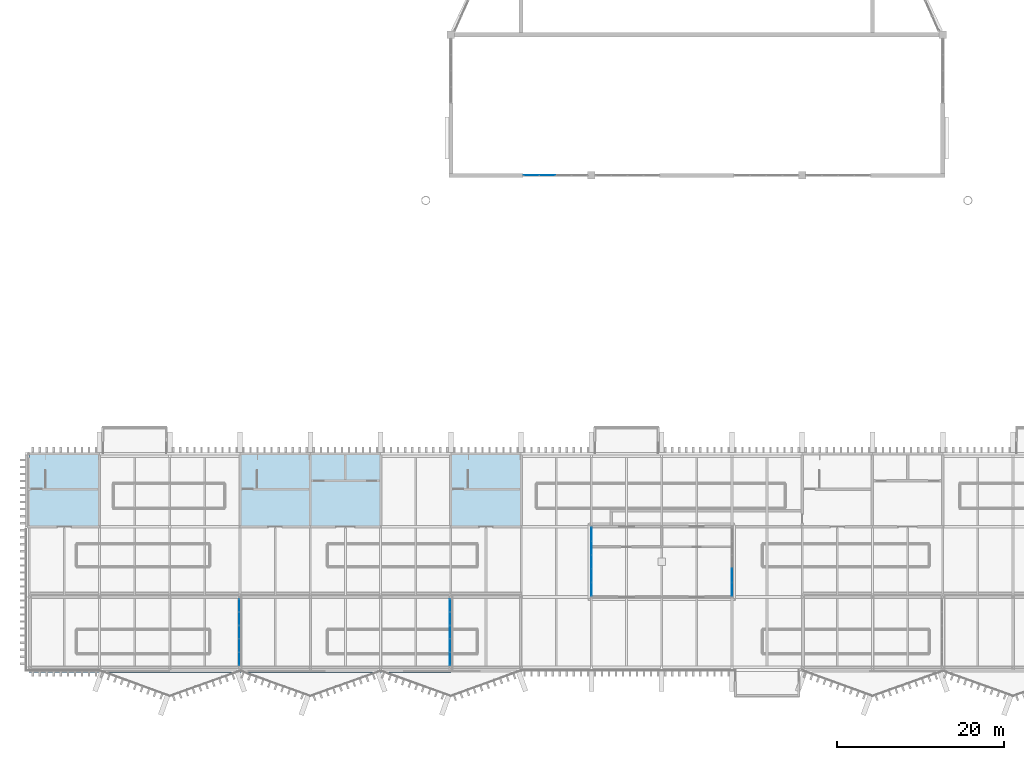
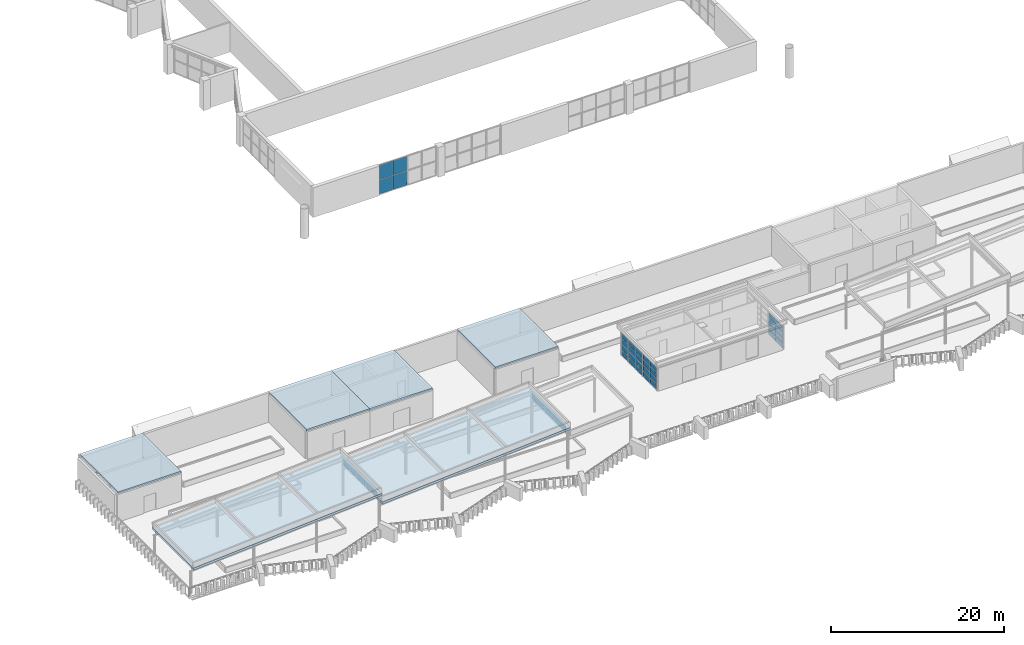
# One storey, part 27 of 51: 52 plates, 6 slabs, 5 elements without a shape of their own.
"""IFC4 building model written with IfcOpenShell, lengths in metres."""

from ifc_helpers import new_model, si_unit, direction, frame, origin, origin_2d, place, context, subcontext, project, spatial, polyline, rectangle, outline, extrude, material, layer, layer_set, type_object, element, aggregate, save


model = new_model("IFC4")

# Units and contexts
model_context = context("Model", 3, precision=1e-05, world=origin(), true_north=direction((0.0, 1.0)))
body_context = subcontext(model_context, "Body", "Model", "MODEL_VIEW")
ifc_project = project(units=[si_unit("LENGTHUNIT", "METRE"), si_unit("AREAUNIT", "SQUARE_METRE"), si_unit("VOLUMEUNIT", "CUBIC_METRE"), si_unit("PLANEANGLEUNIT", "RADIAN"), si_unit("MASSUNIT", "GRAM", prefix="KILO")], contexts=[model_context])

# Site, building, storey
site_placement = place(None, origin())
site = spatial("IfcSite", under=ifc_project, at=site_placement, CompositionType="ELEMENT")
building_placement = place(site_placement, origin())
building = spatial("IfcBuilding", under=site, at=building_placement, Name="Cresset Court Congress Hotel", CompositionType="ELEMENT")
storey_placement = place(building_placement, frame((0.0, 0.0, 18.60009765625)))
storey = spatial("IfcBuildingStorey", under=building, at=storey_placement, Name="L04", CompositionType="ELEMENT", Elevation=18.60009765625)

# Curtain wall, plates
ifc_material_1 = material(Name="Aluminium frame with double glazing", Category="aluminium")
ifc_layer_1 = layer(ifc_material_1, 0.199951171875)
ifc_layer_set_1 = layer_set([ifc_layer_1], Name="Glazed box curtain wall 1680 module")
curtain_wall_type_1 = type_object("IfcCurtainWallType", Name="Glazed box curtain wall 1680 module", PredefinedType="NOTDEFINED", material=ifc_layer_set_1)
curtain_wall_1_placement = place(storey_placement, origin())
curtain_wall_1 = element("IfcCurtainWall", 1, at=curtain_wall_1_placement, inside=storey, type_object=curtain_wall_type_1, Name="Roof light face 1", PredefinedType="NOTDEFINED")
ifc_material_2 = material(Name="Toughened double glazing", Category="glass")
ifc_layer_2 = layer(ifc_material_2, 0.028076171875)
ifc_layer_set_2 = layer_set([ifc_layer_2], Name="Box glass panel 28")
plate_type_1 = type_object("IfcPlateType", Name="Box glass panel 28", PredefinedType="CURTAIN_PANEL", material=ifc_layer_set_2)
plate_1_placement = place(storey_placement, frame((33.5, 1.014892578125, 4.4599609375), z_axis=(0.0, 0.0, 1.0), x_axis=(0.0, 1.0, 0.0)))
plate_1 = element("IfcPlate", 2, at=plate_1_placement, type_object=plate_type_1, Name="B-X1 panel 1.1", PredefinedType="CURTAIN_PANEL", context=body_context, shape_type="SweptSolid", body=[
    extrude(rectangle(XDim=1.510009765625, YDim=0.028076171875, at=origin_2d()), origin(), (0.0, 0.0, 1.0), 0.39208984375),
])
plate_2_placement = place(storey_placement, frame((33.5, 1.014892578125, 4.911865234375), z_axis=(0.0, 0.0, 1.0), x_axis=(0.0, 1.0, 0.0)))
plate_2 = element("IfcPlate", 3, at=plate_2_placement, type_object=plate_type_1, Name="B-X1 panel 1.2", PredefinedType="CURTAIN_PANEL", context=body_context, shape_type="SweptSolid", body=[
    extrude(rectangle(XDim=1.510009765625, YDim=0.028076171875, at=origin_2d()), origin(), (0.0, 0.0, 1.0), 0.39208984375),
])
plate_3_placement = place(storey_placement, frame((33.5, 2.60009765625, 4.4599609375), z_axis=(0.0, 0.0, 1.0), x_axis=(0.0, 1.0, 0.0)))
plate_3 = element("IfcPlate", 4, at=plate_3_placement, type_object=plate_type_1, Name="B-X1 panel 2.1", PredefinedType="CURTAIN_PANEL", context=body_context, shape_type="SweptSolid", body=[
    extrude(rectangle(XDim=1.5400390625, YDim=0.028076171875, at=origin_2d()), origin(), (0.0, 0.0, 1.0), 0.39208984375),
])
plate_4_placement = place(storey_placement, frame((33.5, 2.60009765625, 4.911865234375), z_axis=(0.0, 0.0, 1.0), x_axis=(0.0, 1.0, 0.0)))
plate_4 = element("IfcPlate", 5, at=plate_4_placement, type_object=plate_type_1, Name="B-X1 panel 2.2", PredefinedType="CURTAIN_PANEL", context=body_context, shape_type="SweptSolid", body=[
    extrude(rectangle(XDim=1.5400390625, YDim=0.028076171875, at=origin_2d()), origin(), (0.0, 0.0, 1.0), 0.39208984375),
])
plate_5_placement = place(storey_placement, frame((33.5, 4.199951171875, 4.4599609375), z_axis=(0.0, 0.0, 1.0), x_axis=(0.0, 1.0, 0.0)))
plate_5 = element("IfcPlate", 6, at=plate_5_placement, type_object=plate_type_1, Name="B-X1 panel 3.1", PredefinedType="CURTAIN_PANEL", context=body_context, shape_type="SweptSolid", body=[
    extrude(rectangle(XDim=1.5400390625, YDim=0.028076171875, at=origin_2d()), origin(), (0.0, 0.0, 1.0), 0.39208984375),
])
plate_6_placement = place(storey_placement, frame((33.5, 4.199951171875, 4.911865234375), z_axis=(0.0, 0.0, 1.0), x_axis=(0.0, 1.0, 0.0)))
plate_6 = element("IfcPlate", 7, at=plate_6_placement, type_object=plate_type_1, Name="B-X1 panel 3.2", PredefinedType="CURTAIN_PANEL", context=body_context, shape_type="SweptSolid", body=[
    extrude(rectangle(XDim=1.5400390625, YDim=0.028076171875, at=origin_2d()), origin(), (0.0, 0.0, 1.0), 0.39208984375),
])
plate_7_placement = place(storey_placement, frame((33.5, 5.800048828125, 4.4599609375), z_axis=(0.0, 0.0, 1.0), x_axis=(0.0, 1.0, 0.0)))
plate_7 = element("IfcPlate", 8, at=plate_7_placement, type_object=plate_type_1, Name="B-X1 panel 4.1", PredefinedType="CURTAIN_PANEL", context=body_context, shape_type="SweptSolid", body=[
    extrude(rectangle(XDim=1.5400390625, YDim=0.028076171875, at=origin_2d()), origin(), (0.0, 0.0, 1.0), 0.39208984375),
])
plate_8_placement = place(storey_placement, frame((33.5, 5.800048828125, 4.911865234375), z_axis=(0.0, 0.0, 1.0), x_axis=(0.0, 1.0, 0.0)))
plate_8 = element("IfcPlate", 9, at=plate_8_placement, type_object=plate_type_1, Name="B-X1 panel 4.2", PredefinedType="CURTAIN_PANEL", context=body_context, shape_type="SweptSolid", body=[
    extrude(rectangle(XDim=1.5400390625, YDim=0.028076171875, at=origin_2d()), origin(), (0.0, 0.0, 1.0), 0.39208984375),
])
plate_9_placement = place(storey_placement, frame((33.5, 7.385009765625, 4.4599609375), z_axis=(0.0, 0.0, 1.0), x_axis=(0.0, 1.0, 0.0)))
plate_9 = element("IfcPlate", 10, at=plate_9_placement, type_object=plate_type_1, Name="B-X1 panel 5.1", PredefinedType="CURTAIN_PANEL", context=body_context, shape_type="SweptSolid", body=[
    extrude(rectangle(XDim=1.510009765625, YDim=0.028076171875, at=origin_2d()), origin(), (0.0, 0.0, 1.0), 0.39208984375),
])
plate_10_placement = place(storey_placement, frame((33.5, 7.385009765625, 4.911865234375), z_axis=(0.0, 0.0, 1.0), x_axis=(0.0, 1.0, 0.0)))
plate_10 = element("IfcPlate", 11, at=plate_10_placement, type_object=plate_type_1, Name="B-X1 panel 5.2", PredefinedType="CURTAIN_PANEL", context=body_context, shape_type="SweptSolid", body=[
    extrude(rectangle(XDim=1.510009765625, YDim=0.028076171875, at=origin_2d()), origin(), (0.0, 0.0, 1.0), 0.39208984375),
])
aggregate(curtain_wall_1, [plate_1, plate_2, plate_3, plate_4, plate_5, plate_6, plate_7, plate_8, plate_9, plate_10])

curtain_wall_2_placement = place(storey_placement, origin())
curtain_wall_2 = element("IfcCurtainWall", 12, at=curtain_wall_2_placement, inside=storey, type_object=curtain_wall_type_1, Name="Roof light face 2", PredefinedType="NOTDEFINED")
plate_11_placement = place(storey_placement, frame((58.699951171875, 1.014892578125, 4.9599609375), z_axis=(0.0, 0.0, 1.0), x_axis=(0.0, 1.0, 0.0)))
plate_11 = element("IfcPlate", 13, at=plate_11_placement, type_object=plate_type_1, Name="B-X1 panel 1.1", PredefinedType="CURTAIN_PANEL", context=body_context, shape_type="SweptSolid", body=[
    extrude(rectangle(XDim=1.510009765625, YDim=0.028076171875, at=origin_2d()), origin(), (0.0, 0.0, 1.0), 0.39208984375),
])
plate_12_placement = place(storey_placement, frame((58.699951171875, 1.014892578125, 5.411865234375), z_axis=(0.0, 0.0, 1.0), x_axis=(0.0, 1.0, 0.0)))
plate_12 = element("IfcPlate", 14, at=plate_12_placement, type_object=plate_type_1, Name="B-X1 panel 1.2", PredefinedType="CURTAIN_PANEL", context=body_context, shape_type="SweptSolid", body=[
    extrude(rectangle(XDim=1.510009765625, YDim=0.028076171875, at=origin_2d()), origin(), (0.0, 0.0, 1.0), 0.39208984375),
])
plate_13_placement = place(storey_placement, frame((58.699951171875, 2.60009765625, 4.9599609375), z_axis=(0.0, 0.0, 1.0), x_axis=(0.0, 1.0, 0.0)))
plate_13 = element("IfcPlate", 15, at=plate_13_placement, type_object=plate_type_1, Name="B-X1 panel 2.1", PredefinedType="CURTAIN_PANEL", context=body_context, shape_type="SweptSolid", body=[
    extrude(rectangle(XDim=1.5400390625, YDim=0.028076171875, at=origin_2d()), origin(), (0.0, 0.0, 1.0), 0.39208984375),
])
plate_14_placement = place(storey_placement, frame((58.699951171875, 2.60009765625, 5.411865234375), z_axis=(0.0, 0.0, 1.0), x_axis=(0.0, 1.0, 0.0)))
plate_14 = element("IfcPlate", 16, at=plate_14_placement, type_object=plate_type_1, Name="B-X1 panel 2.2", PredefinedType="CURTAIN_PANEL", context=body_context, shape_type="SweptSolid", body=[
    extrude(rectangle(XDim=1.5400390625, YDim=0.028076171875, at=origin_2d()), origin(), (0.0, 0.0, 1.0), 0.39208984375),
])
plate_15_placement = place(storey_placement, frame((58.699951171875, 4.199951171875, 4.9599609375), z_axis=(0.0, 0.0, 1.0), x_axis=(0.0, 1.0, 0.0)))
plate_15 = element("IfcPlate", 17, at=plate_15_placement, type_object=plate_type_1, Name="B-X1 panel 3.1", PredefinedType="CURTAIN_PANEL", context=body_context, shape_type="SweptSolid", body=[
    extrude(rectangle(XDim=1.5400390625, YDim=0.028076171875, at=origin_2d()), origin(), (0.0, 0.0, 1.0), 0.39208984375),
])
plate_16_placement = place(storey_placement, frame((58.699951171875, 4.199951171875, 5.411865234375), z_axis=(0.0, 0.0, 1.0), x_axis=(0.0, 1.0, 0.0)))
plate_16 = element("IfcPlate", 18, at=plate_16_placement, type_object=plate_type_1, Name="B-X1 panel 3.2", PredefinedType="CURTAIN_PANEL", context=body_context, shape_type="SweptSolid", body=[
    extrude(rectangle(XDim=1.5400390625, YDim=0.028076171875, at=origin_2d()), origin(), (0.0, 0.0, 1.0), 0.39208984375),
])
plate_17_placement = place(storey_placement, frame((58.699951171875, 5.800048828125, 4.9599609375), z_axis=(0.0, 0.0, 1.0), x_axis=(0.0, 1.0, 0.0)))
plate_17 = element("IfcPlate", 19, at=plate_17_placement, type_object=plate_type_1, Name="B-X1 panel 4.1", PredefinedType="CURTAIN_PANEL", context=body_context, shape_type="SweptSolid", body=[
    extrude(rectangle(XDim=1.5400390625, YDim=0.028076171875, at=origin_2d()), origin(), (0.0, 0.0, 1.0), 0.39208984375),
])
plate_18_placement = place(storey_placement, frame((58.699951171875, 5.800048828125, 5.411865234375), z_axis=(0.0, 0.0, 1.0), x_axis=(0.0, 1.0, 0.0)))
plate_18 = element("IfcPlate", 20, at=plate_18_placement, type_object=plate_type_1, Name="B-X1 panel 4.2", PredefinedType="CURTAIN_PANEL", context=body_context, shape_type="SweptSolid", body=[
    extrude(rectangle(XDim=1.5400390625, YDim=0.028076171875, at=origin_2d()), origin(), (0.0, 0.0, 1.0), 0.39208984375),
])
plate_19_placement = place(storey_placement, frame((58.699951171875, 7.385009765625, 4.9599609375), z_axis=(0.0, 0.0, 1.0), x_axis=(0.0, 1.0, 0.0)))
plate_19 = element("IfcPlate", 21, at=plate_19_placement, type_object=plate_type_1, Name="B-X1 panel 5.1", PredefinedType="CURTAIN_PANEL", context=body_context, shape_type="SweptSolid", body=[
    extrude(rectangle(XDim=1.510009765625, YDim=0.028076171875, at=origin_2d()), origin(), (0.0, 0.0, 1.0), 0.39208984375),
])
plate_20_placement = place(storey_placement, frame((58.699951171875, 7.385009765625, 5.411865234375), z_axis=(0.0, 0.0, 1.0), x_axis=(0.0, 1.0, 0.0)))
plate_20 = element("IfcPlate", 22, at=plate_20_placement, type_object=plate_type_1, Name="B-X1 panel 5.2", PredefinedType="CURTAIN_PANEL", context=body_context, shape_type="SweptSolid", body=[
    extrude(rectangle(XDim=1.510009765625, YDim=0.028076171875, at=origin_2d()), origin(), (0.0, 0.0, 1.0), 0.39208984375),
])
aggregate(curtain_wall_2, [plate_11, plate_12, plate_13, plate_14, plate_15, plate_16, plate_17, plate_18, plate_19, plate_20])

ifc_material_3 = material(Name="Aluminium frame with double glazing", Category="aluminium")
ifc_layer_3 = layer(ifc_material_3, 0.199951171875)
ifc_layer_set_3 = layer_set([ifc_layer_3], Name="Pavilion curtain wall 1680 module")
curtain_wall_type_2 = type_object("IfcCurtainWallType", Name="Pavilion curtain wall 1680 module", PredefinedType="NOTDEFINED", material=ifc_layer_set_3)
curtain_wall_3_placement = place(storey_placement, origin())
curtain_wall_3 = element("IfcCurtainWall", 23, at=curtain_wall_3_placement, inside=storey, type_object=curtain_wall_type_2, Name="Pavilion glazed front W", PredefinedType="NOTDEFINED")
plate_21_placement = place(storey_placement, frame((75.60009765625, 9.322265625, 0.06005859375), z_axis=(0.0, 0.0, 1.0), x_axis=(0.0, 1.0, 0.0)))
plate_21 = element("IfcPlate", 24, at=plate_21_placement, type_object=plate_type_1, Name="B-X2 panel 1.1", PredefinedType="CURTAIN_PANEL", context=body_context, shape_type="SweptSolid", body=[
    extrude(rectangle(XDim=1.556396484375, YDim=0.028076171875, at=origin_2d()), origin(), (0.0, 0.0, 1.0), 0.723388671875),
])
plate_22_placement = place(storey_placement, frame((75.60009765625, 9.322265625, 0.843505859375), z_axis=(0.0, 0.0, 1.0), x_axis=(0.0, 1.0, 0.0)))
plate_22 = element("IfcPlate", 25, at=plate_22_placement, type_object=plate_type_1, Name="B-X2 panel 1.2", PredefinedType="CURTAIN_PANEL", context=body_context, shape_type="SweptSolid", body=[
    extrude(rectangle(XDim=1.556396484375, YDim=0.028076171875, at=origin_2d()), origin(), (0.0, 0.0, 1.0), 0.75341796875),
])
plate_23_placement = place(storey_placement, frame((75.60009765625, 9.322265625, 1.656982421875), z_axis=(0.0, 0.0, 1.0), x_axis=(0.0, 1.0, 0.0)))
plate_23 = element("IfcPlate", 26, at=plate_23_placement, type_object=plate_type_1, Name="B-X2 panel 1.3", PredefinedType="CURTAIN_PANEL", context=body_context, shape_type="SweptSolid", body=[
    extrude(rectangle(XDim=1.556396484375, YDim=0.028076171875, at=origin_2d()), origin(), (0.0, 0.0, 1.0), 0.75341796875),
])
plate_24_placement = place(storey_placement, frame((75.60009765625, 9.322265625, 2.47021484375), z_axis=(0.0, 0.0, 1.0), x_axis=(0.0, 1.0, 0.0)))
plate_24 = element("IfcPlate", 27, at=plate_24_placement, type_object=plate_type_1, Name="B-X2 panel 1.4", PredefinedType="CURTAIN_PANEL", context=body_context, shape_type="SweptSolid", body=[
    extrude(rectangle(XDim=1.556396484375, YDim=0.028076171875, at=origin_2d()), origin(), (0.0, 0.0, 1.0), 0.723388671875),
])
plate_25_placement = place(storey_placement, frame((75.60009765625, 10.95361328125, 0.06005859375), z_axis=(0.0, 0.0, 1.0), x_axis=(0.0, 1.0, 0.0)))
plate_25 = element("IfcPlate", 28, at=plate_25_placement, type_object=plate_type_1, Name="B-X2 panel 2.1", PredefinedType="CURTAIN_PANEL", context=body_context, shape_type="SweptSolid", body=[
    extrude(rectangle(XDim=1.58642578125, YDim=0.028076171875, at=origin_2d()), origin(), (0.0, 0.0, 1.0), 0.723388671875),
])
plate_26_placement = place(storey_placement, frame((75.60009765625, 10.95361328125, 0.843505859375), z_axis=(0.0, 0.0, 1.0), x_axis=(0.0, 1.0, 0.0)))
plate_26 = element("IfcPlate", 29, at=plate_26_placement, type_object=plate_type_1, Name="B-X2 panel 2.2", PredefinedType="CURTAIN_PANEL", context=body_context, shape_type="SweptSolid", body=[
    extrude(rectangle(XDim=1.58642578125, YDim=0.028076171875, at=origin_2d()), origin(), (0.0, 0.0, 1.0), 0.75341796875),
])
plate_27_placement = place(storey_placement, frame((75.60009765625, 10.95361328125, 1.656982421875), z_axis=(0.0, 0.0, 1.0), x_axis=(0.0, 1.0, 0.0)))
plate_27 = element("IfcPlate", 30, at=plate_27_placement, type_object=plate_type_1, Name="B-X2 panel 2.3", PredefinedType="CURTAIN_PANEL", context=body_context, shape_type="SweptSolid", body=[
    extrude(rectangle(XDim=1.58642578125, YDim=0.028076171875, at=origin_2d()), origin(), (0.0, 0.0, 1.0), 0.75341796875),
])
plate_28_placement = place(storey_placement, frame((75.60009765625, 10.95361328125, 2.47021484375), z_axis=(0.0, 0.0, 1.0), x_axis=(0.0, 1.0, 0.0)))
plate_28 = element("IfcPlate", 31, at=plate_28_placement, type_object=plate_type_1, Name="B-X2 panel 2.4", PredefinedType="CURTAIN_PANEL", context=body_context, shape_type="SweptSolid", body=[
    extrude(rectangle(XDim=1.58642578125, YDim=0.028076171875, at=origin_2d()), origin(), (0.0, 0.0, 1.0), 0.723388671875),
])
plate_29_placement = place(storey_placement, frame((75.60009765625, 12.60009765625, 0.06005859375), z_axis=(0.0, 0.0, 1.0), x_axis=(0.0, 1.0, 0.0)))
plate_29 = element("IfcPlate", 32, at=plate_29_placement, type_object=plate_type_1, Name="B-X2 panel 3.1", PredefinedType="CURTAIN_PANEL", context=body_context, shape_type="SweptSolid", body=[
    extrude(rectangle(XDim=1.58642578125, YDim=0.028076171875, at=origin_2d()), origin(), (0.0, 0.0, 1.0), 0.723388671875),
])
plate_30_placement = place(storey_placement, frame((75.60009765625, 12.60009765625, 0.843505859375), z_axis=(0.0, 0.0, 1.0), x_axis=(0.0, 1.0, 0.0)))
plate_30 = element("IfcPlate", 33, at=plate_30_placement, type_object=plate_type_1, Name="B-X2 panel 3.2", PredefinedType="CURTAIN_PANEL", context=body_context, shape_type="SweptSolid", body=[
    extrude(rectangle(XDim=1.58642578125, YDim=0.028076171875, at=origin_2d()), origin(), (0.0, 0.0, 1.0), 0.75341796875),
])
plate_31_placement = place(storey_placement, frame((75.60009765625, 12.60009765625, 1.656982421875), z_axis=(0.0, 0.0, 1.0), x_axis=(0.0, 1.0, 0.0)))
plate_31 = element("IfcPlate", 34, at=plate_31_placement, type_object=plate_type_1, Name="B-X2 panel 3.3", PredefinedType="CURTAIN_PANEL", context=body_context, shape_type="SweptSolid", body=[
    extrude(rectangle(XDim=1.58642578125, YDim=0.028076171875, at=origin_2d()), origin(), (0.0, 0.0, 1.0), 0.75341796875),
])
plate_32_placement = place(storey_placement, frame((75.60009765625, 12.60009765625, 2.47021484375), z_axis=(0.0, 0.0, 1.0), x_axis=(0.0, 1.0, 0.0)))
plate_32 = element("IfcPlate", 35, at=plate_32_placement, type_object=plate_type_1, Name="B-X2 panel 3.4", PredefinedType="CURTAIN_PANEL", context=body_context, shape_type="SweptSolid", body=[
    extrude(rectangle(XDim=1.58642578125, YDim=0.028076171875, at=origin_2d()), origin(), (0.0, 0.0, 1.0), 0.723388671875),
])
plate_33_placement = place(storey_placement, frame((75.60009765625, 14.246337890625, 0.06005859375), z_axis=(0.0, 0.0, 1.0), x_axis=(0.0, 1.0, 0.0)))
plate_33 = element("IfcPlate", 36, at=plate_33_placement, type_object=plate_type_1, Name="B-X2 panel 4.1", PredefinedType="CURTAIN_PANEL", context=body_context, shape_type="SweptSolid", body=[
    extrude(rectangle(XDim=1.58642578125, YDim=0.028076171875, at=origin_2d()), origin(), (0.0, 0.0, 1.0), 0.723388671875),
])
plate_34_placement = place(storey_placement, frame((75.60009765625, 14.246337890625, 0.843505859375), z_axis=(0.0, 0.0, 1.0), x_axis=(0.0, 1.0, 0.0)))
plate_34 = element("IfcPlate", 37, at=plate_34_placement, type_object=plate_type_1, Name="B-X2 panel 4.2", PredefinedType="CURTAIN_PANEL", context=body_context, shape_type="SweptSolid", body=[
    extrude(rectangle(XDim=1.58642578125, YDim=0.028076171875, at=origin_2d()), origin(), (0.0, 0.0, 1.0), 0.75341796875),
])
plate_35_placement = place(storey_placement, frame((75.60009765625, 14.246337890625, 1.656982421875), z_axis=(0.0, 0.0, 1.0), x_axis=(0.0, 1.0, 0.0)))
plate_35 = element("IfcPlate", 38, at=plate_35_placement, type_object=plate_type_1, Name="B-X2 panel 4.3", PredefinedType="CURTAIN_PANEL", context=body_context, shape_type="SweptSolid", body=[
    extrude(rectangle(XDim=1.58642578125, YDim=0.028076171875, at=origin_2d()), origin(), (0.0, 0.0, 1.0), 0.75341796875),
])
plate_36_placement = place(storey_placement, frame((75.60009765625, 14.246337890625, 2.47021484375), z_axis=(0.0, 0.0, 1.0), x_axis=(0.0, 1.0, 0.0)))
plate_36 = element("IfcPlate", 39, at=plate_36_placement, type_object=plate_type_1, Name="B-X2 panel 4.4", PredefinedType="CURTAIN_PANEL", context=body_context, shape_type="SweptSolid", body=[
    extrude(rectangle(XDim=1.58642578125, YDim=0.028076171875, at=origin_2d()), origin(), (0.0, 0.0, 1.0), 0.723388671875),
])
plate_37_placement = place(storey_placement, frame((75.60009765625, 15.877685546875, 0.06005859375), z_axis=(0.0, 0.0, 1.0), x_axis=(0.0, 1.0, 0.0)))
plate_37 = element("IfcPlate", 40, at=plate_37_placement, type_object=plate_type_1, Name="B-X2 panel 5.1", PredefinedType="CURTAIN_PANEL", context=body_context, shape_type="SweptSolid", body=[
    extrude(rectangle(XDim=1.556396484375, YDim=0.028076171875, at=origin_2d()), origin(), (0.0, 0.0, 1.0), 0.723388671875),
])
plate_38_placement = place(storey_placement, frame((75.60009765625, 15.877685546875, 0.843505859375), z_axis=(0.0, 0.0, 1.0), x_axis=(0.0, 1.0, 0.0)))
plate_38 = element("IfcPlate", 41, at=plate_38_placement, type_object=plate_type_1, Name="B-X2 panel 5.2", PredefinedType="CURTAIN_PANEL", context=body_context, shape_type="SweptSolid", body=[
    extrude(rectangle(XDim=1.556396484375, YDim=0.028076171875, at=origin_2d()), origin(), (0.0, 0.0, 1.0), 0.75341796875),
])
plate_39_placement = place(storey_placement, frame((75.60009765625, 15.877685546875, 1.656982421875), z_axis=(0.0, 0.0, 1.0), x_axis=(0.0, 1.0, 0.0)))
plate_39 = element("IfcPlate", 42, at=plate_39_placement, type_object=plate_type_1, Name="B-X2 panel 5.3", PredefinedType="CURTAIN_PANEL", context=body_context, shape_type="SweptSolid", body=[
    extrude(rectangle(XDim=1.556396484375, YDim=0.028076171875, at=origin_2d()), origin(), (0.0, 0.0, 1.0), 0.75341796875),
])
plate_40_placement = place(storey_placement, frame((75.60009765625, 15.877685546875, 2.47021484375), z_axis=(0.0, 0.0, 1.0), x_axis=(0.0, 1.0, 0.0)))
plate_40 = element("IfcPlate", 43, at=plate_40_placement, type_object=plate_type_1, Name="B-X2 panel 5.4", PredefinedType="CURTAIN_PANEL", context=body_context, shape_type="SweptSolid", body=[
    extrude(rectangle(XDim=1.556396484375, YDim=0.028076171875, at=origin_2d()), origin(), (0.0, 0.0, 1.0), 0.723388671875),
])
aggregate(curtain_wall_3, [plate_21, plate_22, plate_23, plate_24, plate_25, plate_26, plate_27, plate_28, plate_29, plate_30, plate_31, plate_32, plate_33, plate_34, plate_35, plate_36, plate_37, plate_38, plate_39, plate_40])

curtain_wall_4_placement = place(storey_placement, origin())
curtain_wall_4 = element("IfcCurtainWall", 44, at=curtain_wall_4_placement, inside=storey, type_object=curtain_wall_type_2, Name="Pavilion glazed front E", PredefinedType="NOTDEFINED")
plate_41_placement = place(storey_placement, frame((92.39990234375, 9.322265625, 0.06005859375), z_axis=(0.0, 0.0, 1.0), x_axis=(0.0, 1.0, 0.0)))
plate_41 = element("IfcPlate", 45, at=plate_41_placement, type_object=plate_type_1, Name="B-X2 panel 1.1", PredefinedType="CURTAIN_PANEL", context=body_context, shape_type="SweptSolid", body=[
    extrude(rectangle(XDim=1.556396484375, YDim=0.028076171875, at=origin_2d()), origin(), (0.0, 0.0, 1.0), 0.723388671875),
])
plate_42_placement = place(storey_placement, frame((92.39990234375, 9.322265625, 0.843505859375), z_axis=(0.0, 0.0, 1.0), x_axis=(0.0, 1.0, 0.0)))
plate_42 = element("IfcPlate", 46, at=plate_42_placement, type_object=plate_type_1, Name="B-X2 panel 1.2", PredefinedType="CURTAIN_PANEL", context=body_context, shape_type="SweptSolid", body=[
    extrude(rectangle(XDim=1.556396484375, YDim=0.028076171875, at=origin_2d()), origin(), (0.0, 0.0, 1.0), 0.75341796875),
])
plate_43_placement = place(storey_placement, frame((92.39990234375, 9.322265625, 1.656982421875), z_axis=(0.0, 0.0, 1.0), x_axis=(0.0, 1.0, 0.0)))
plate_43 = element("IfcPlate", 47, at=plate_43_placement, type_object=plate_type_1, Name="B-X2 panel 1.3", PredefinedType="CURTAIN_PANEL", context=body_context, shape_type="SweptSolid", body=[
    extrude(rectangle(XDim=1.556396484375, YDim=0.028076171875, at=origin_2d()), origin(), (0.0, 0.0, 1.0), 0.75341796875),
])
plate_44_placement = place(storey_placement, frame((92.39990234375, 9.322265625, 2.47021484375), z_axis=(0.0, 0.0, 1.0), x_axis=(0.0, 1.0, 0.0)))
plate_44 = element("IfcPlate", 48, at=plate_44_placement, type_object=plate_type_1, Name="B-X2 panel 1.4", PredefinedType="CURTAIN_PANEL", context=body_context, shape_type="SweptSolid", body=[
    extrude(rectangle(XDim=1.556396484375, YDim=0.028076171875, at=origin_2d()), origin(), (0.0, 0.0, 1.0), 0.723388671875),
])
plate_45_placement = place(storey_placement, frame((92.39990234375, 10.95361328125, 0.06005859375), z_axis=(0.0, 0.0, 1.0), x_axis=(0.0, 1.0, 0.0)))
plate_45 = element("IfcPlate", 49, at=plate_45_placement, type_object=plate_type_1, Name="B-X2 panel 2.1", PredefinedType="CURTAIN_PANEL", context=body_context, shape_type="SweptSolid", body=[
    extrude(rectangle(XDim=1.58642578125, YDim=0.028076171875, at=origin_2d()), origin(), (0.0, 0.0, 1.0), 0.723388671875),
])
plate_46_placement = place(storey_placement, frame((92.39990234375, 10.95361328125, 0.843505859375), z_axis=(0.0, 0.0, 1.0), x_axis=(0.0, 1.0, 0.0)))
plate_46 = element("IfcPlate", 50, at=plate_46_placement, type_object=plate_type_1, Name="B-X2 panel 2.2", PredefinedType="CURTAIN_PANEL", context=body_context, shape_type="SweptSolid", body=[
    extrude(rectangle(XDim=1.58642578125, YDim=0.028076171875, at=origin_2d()), origin(), (0.0, 0.0, 1.0), 0.75341796875),
])
plate_47_placement = place(storey_placement, frame((92.39990234375, 10.95361328125, 1.656982421875), z_axis=(0.0, 0.0, 1.0), x_axis=(0.0, 1.0, 0.0)))
plate_47 = element("IfcPlate", 51, at=plate_47_placement, type_object=plate_type_1, Name="B-X2 panel 2.3", PredefinedType="CURTAIN_PANEL", context=body_context, shape_type="SweptSolid", body=[
    extrude(rectangle(XDim=1.58642578125, YDim=0.028076171875, at=origin_2d()), origin(), (0.0, 0.0, 1.0), 0.75341796875),
])
plate_48_placement = place(storey_placement, frame((92.39990234375, 10.95361328125, 2.47021484375), z_axis=(0.0, 0.0, 1.0), x_axis=(0.0, 1.0, 0.0)))
plate_48 = element("IfcPlate", 52, at=plate_48_placement, type_object=plate_type_1, Name="B-X2 panel 2.4", PredefinedType="CURTAIN_PANEL", context=body_context, shape_type="SweptSolid", body=[
    extrude(rectangle(XDim=1.58642578125, YDim=0.028076171875, at=origin_2d()), origin(), (0.0, 0.0, 1.0), 0.723388671875),
])
aggregate(curtain_wall_4, [plate_41, plate_42, plate_43, plate_44, plate_45, plate_46, plate_47, plate_48])

ifc_material_4 = material(Name="Aluminium and glass", Category="aluminium")
ifc_layer_4 = layer(ifc_material_4, 0.199951171875)
ifc_layer_set_4 = layer_set([ifc_layer_4], Name="Clerestory curtain wall 1925 module")
curtain_wall_type_3 = type_object("IfcCurtainWallType", Name="Clerestory curtain wall 1925 module", PredefinedType="NOTDEFINED", material=ifc_layer_set_4)
curtain_wall_5_placement = place(storey_placement, origin())
curtain_wall_5 = element("IfcCurtainWall", 53, at=curtain_wall_5_placement, inside=storey, type_object=curtain_wall_type_3, Name="Clerestory CX-04S1", PredefinedType="NOTDEFINED")
ifc_material_5 = material(Name="Laminated glass", Category="glass")
ifc_layer_5 = layer(ifc_material_5, 0.028076171875)
ifc_layer_set_5 = layer_set([ifc_layer_5], Name="Curtain wall glass panel 28")
plate_type_2 = type_object("IfcPlateType", Name="Curtain wall glass panel 28", PredefinedType="CURTAIN_PANEL", material=ifc_layer_set_5)
plate_49_placement = place(storey_placement, frame((68.427490234375, 58.800048828125, 0.06005859375), z_axis=(0.0, 0.0, 1.0), x_axis=(1.0, 0.0, 0.0)))
plate_49 = element("IfcPlate", 54, at=plate_49_placement, type_object=plate_type_2, Name="C-X5 panel 1.1", PredefinedType="CURTAIN_PANEL", context=body_context, shape_type="SweptSolid", body=[
    extrude(rectangle(XDim=1.8349609375, YDim=0.028076171875, at=origin_2d()), origin(), (0.0, 0.0, 1.0), 2.010009765625),
])
plate_50_placement = place(storey_placement, frame((68.427490234375, 58.800048828125, 2.1298828125), z_axis=(0.0, 0.0, 1.0), x_axis=(1.0, 0.0, 0.0)))
plate_50 = element("IfcPlate", 55, at=plate_50_placement, type_object=plate_type_2, Name="C-X5 panel 1.2", PredefinedType="CURTAIN_PANEL", context=body_context, shape_type="SweptSolid", body=[
    extrude(rectangle(XDim=1.8349609375, YDim=0.028076171875, at=origin_2d()), origin(), (0.0, 0.0, 1.0), 2.010009765625),
])
plate_51_placement = place(storey_placement, frame((70.33740234375, 58.800048828125, 0.06005859375), z_axis=(0.0, 0.0, 1.0), x_axis=(1.0, 0.0, 0.0)))
plate_51 = element("IfcPlate", 56, at=plate_51_placement, type_object=plate_type_2, Name="C-X5 panel 2.1", PredefinedType="CURTAIN_PANEL", context=body_context, shape_type="SweptSolid", body=[
    extrude(rectangle(XDim=1.864990234375, YDim=0.028076171875, at=origin_2d()), origin(), (0.0, 0.0, 1.0), 2.010009765625),
])
plate_52_placement = place(storey_placement, frame((70.33740234375, 58.800048828125, 2.1298828125), z_axis=(0.0, 0.0, 1.0), x_axis=(1.0, 0.0, 0.0)))
plate_52 = element("IfcPlate", 57, at=plate_52_placement, type_object=plate_type_2, Name="C-X5 panel 2.2", PredefinedType="CURTAIN_PANEL", context=body_context, shape_type="SweptSolid", body=[
    extrude(rectangle(XDim=1.864990234375, YDim=0.028076171875, at=origin_2d()), origin(), (0.0, 0.0, 1.0), 2.010009765625),
])
aggregate(curtain_wall_5, [plate_49, plate_50, plate_51, plate_52])

# Slabs
ifc_material_6 = material(Name="Concrete C50", Category="concrete")
ifc_layer_6 = layer(ifc_material_6, 0.300048828125)
ifc_layer_set_6 = layer_set([ifc_layer_6], Name="Folded roof plate 300")
slab_type_1 = type_object("IfcSlabType", Name="Folded roof plate 300", PredefinedType="ROOF", material=ifc_layer_set_6)
slab_1_placement = place(storey_placement, frame((8.39990234375, -0.60009765625, 3.89990234375), z_axis=(-0.06982528079, 0.0, 0.997559236418), x_axis=(0.997559236418, 0.0, 0.06982528079)))
element("IfcSlab", 58, at=slab_1_placement, inside=storey, type_object=slab_type_1, Name="Folded roof plate 1", PredefinedType="ROOF", context=body_context, shape_type="SweptSolid", body=[
    extrude(outline(polyline([(0.0, 0.0), (25.261853524599605, 0.0), (25.261853524599605, 9.60009765625), (0.0, 9.60009765625), (0.0, 0.0)])), origin(), (0.0, 0.0, -1.0), 0.300048828125),
])
slab_2_placement = place(storey_placement, frame((33.60009765625, -0.60009765625, 4.39990234375), z_axis=(-0.069825953969, 0.0, 0.997559189298), x_axis=(0.997559189298, 0.0, 0.069825953969)))
element("IfcSlab", 59, at=slab_2_placement, inside=storey, type_object=slab_type_1, Name="Folded roof plate 2", PredefinedType="ROOF", context=body_context, shape_type="SweptSolid", body=[
    extrude(outline(polyline([(0.0, 0.0), (25.261609979869903, 0.0), (25.261609979869903, 9.600097656250002), (0.0, 9.600097656250002), (0.0, 0.0)])), origin(), (0.0, 0.0, -1.0), 0.300048828125),
])
ifc_material_7 = material(Name="Concrete C35", Category="concrete")
ifc_layer_7 = layer(ifc_material_7, 0.25)
ifc_layer_set_7 = layer_set([ifc_layer_7], Name="Head house roof slab 250")
slab_type_2 = type_object("IfcSlabType", Name="Head house roof slab 250", PredefinedType="ROOF", material=ifc_layer_set_7)
slab_3_placement = place(storey_placement, frame((0.0, 0.0, 3.889892578125)))
element("IfcSlab", 60, at=slab_3_placement, inside=storey, type_object=slab_type_2, Name="Head house roof LC-B1", PredefinedType="ROOF", context=body_context, shape_type="SweptSolid", body=[
    extrude(outline(polyline([(42.0, 16.800048828125), (50.39990234375, 16.800048828125), (50.39990234375, 25.699951171875), (42.0, 25.699951171875), (42.0, 16.800048828125)])), origin(), (0.0, 0.0, 1.0), 0.25),
])
slab_4_placement = place(storey_placement, frame((0.0, 0.0, 3.889892578125)))
element("IfcSlab", 61, at=slab_4_placement, inside=storey, type_object=slab_type_2, Name="Head house roof ST-B1", PredefinedType="ROOF", context=body_context, shape_type="SweptSolid", body=[
    extrude(outline(polyline([(8.39990234375, 16.800048828125), (16.800048828125, 16.800048828125), (16.800048828125, 25.699951171875), (8.39990234375, 25.699951171875), (8.39990234375, 16.800048828125)])), origin(), (0.0, 0.0, 1.0), 0.25),
])
slab_5_placement = place(storey_placement, frame((0.0, 0.0, 3.889892578125)))
element("IfcSlab", 62, at=slab_5_placement, inside=storey, type_object=slab_type_2, Name="Head house roof ST-B2", PredefinedType="ROOF", context=body_context, shape_type="SweptSolid", body=[
    extrude(outline(polyline([(33.60009765625, 16.800048828125), (42.0, 16.800048828125), (42.0, 25.699951171875), (33.60009765625, 25.699951171875), (33.60009765625, 16.800048828125)])), origin(), (0.0, 0.0, 1.0), 0.25),
])
slab_6_placement = place(storey_placement, frame((0.0, 0.0, 3.889892578125)))
element("IfcSlab", 63, at=slab_6_placement, inside=storey, type_object=slab_type_2, Name="Head house roof ST-B3", PredefinedType="ROOF", context=body_context, shape_type="SweptSolid", body=[
    extrude(outline(polyline([(58.800048828125, 16.800048828125), (67.199951171875, 16.800048828125), (67.199951171875, 25.699951171875), (58.800048828125, 25.699951171875), (58.800048828125, 16.800048828125)])), origin(), (0.0, 0.0, 1.0), 0.25),
])

save(model, "model.ifc")
